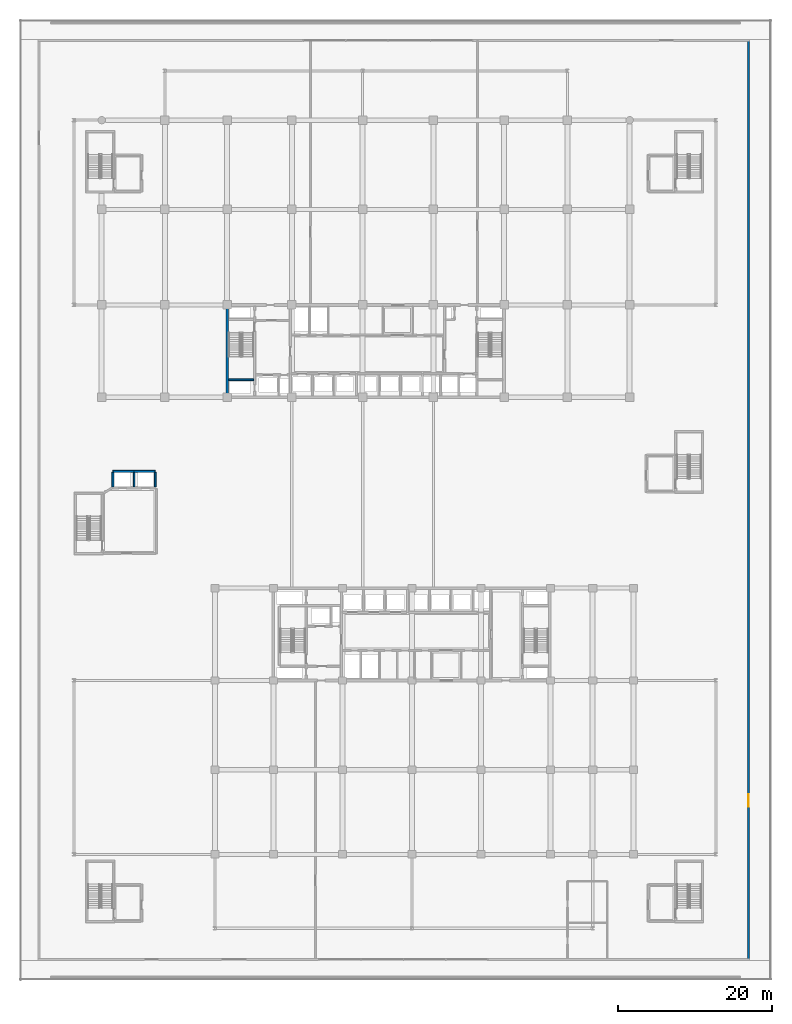
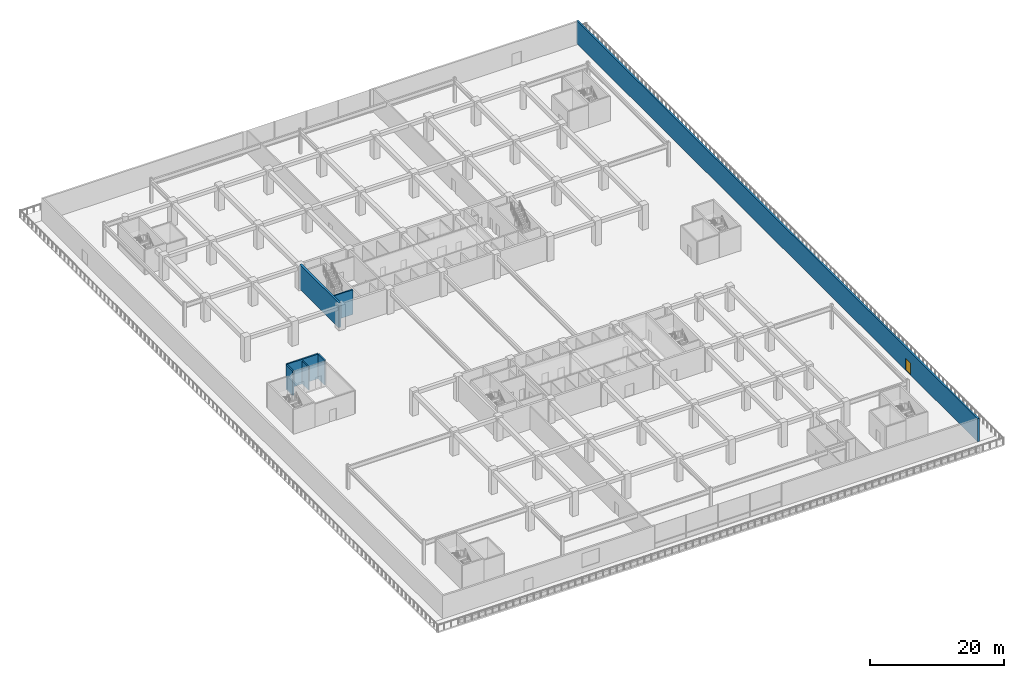
# One storey, part 24 of 40: 7 walls, 1 door, 1 opening.
"""IFC4 building model written with IfcOpenShell, lengths in metres."""

from ifc_helpers import new_model, si_unit, direction, frame, frame_2d, origin, place, context, subcontext, project, spatial, rectangle, extrude, material, layer, layer_set, type_object, element, fill, save


model = new_model("IFC4")

# Units and contexts
model_context = context("Model", 3, precision=1e-05, world=origin(), true_north=direction((0.0, 1.0)))
body_context = subcontext(model_context, "Body", "Model", "MODEL_VIEW")
ifc_project = project(units=[si_unit("LENGTHUNIT", "METRE"), si_unit("AREAUNIT", "SQUARE_METRE"), si_unit("VOLUMEUNIT", "CUBIC_METRE"), si_unit("PLANEANGLEUNIT", "RADIAN"), si_unit("MASSUNIT", "GRAM", prefix="KILO")], contexts=[model_context])

# Site, building, storey
site_placement = place(None, origin())
site = spatial("IfcSite", under=ifc_project, at=site_placement, CompositionType="ELEMENT")
building_placement = place(site_placement, origin())
building = spatial("IfcBuilding", under=site, at=building_placement, Name="Korimba Cascade Residences", CompositionType="ELEMENT")
storey_placement = place(building_placement, frame((0.0, 0.0, 14.5)))
storey = spatial("IfcBuildingStorey", under=building, at=storey_placement, Name="L03", CompositionType="ELEMENT", Elevation=14.5)

# Wall, opening, door
ifc_material_1 = material(Name="Precast concrete C40/50", Category="concrete")
ifc_layer_1 = layer(ifc_material_1, 0.300048828125)
ifc_layer_set_1 = layer_set([ifc_layer_1], Name="Precast concrete C40/50")
wall_type_1 = type_object("IfcWallType", Name="EW-STONE-300", PredefinedType="STANDARD", material=ifc_layer_set_1)
wall_1_placement = place(storey_placement, frame((143.85009765625, -18.0, 0.0), z_axis=(0.0, 0.0, 1.0), x_axis=(0.0, 1.0, 0.0)))
wall_1 = element("IfcWall", 1, at=wall_1_placement, inside=storey, type_object=wall_type_1, Name="L03 East Podium Wall", PredefinedType="STANDARD", context=body_context, shape_type="SweptSolid", body=[
    extrude(rectangle(XDim=119.699951171875, YDim=0.300048828125, at=frame_2d((59.85009765625, 0.0))), origin(), (0.0, 0.0, 1.0), 4.179931640625),
])
opening_placement = place(wall_1_placement, frame((20.0, 0.0, 0.0)))
opening = element("IfcOpeningElement", 2, at=opening_placement, cuts=wall_1, Name="Opening D-TR1", PredefinedType="OPENING", context=body_context, shape_type="SweptSolid", body=[
    extrude(rectangle(XDim=1.60009765625, YDim=2.199951171875, at=frame_2d((0.800048828125, 1.10009765625))), frame((0.0, 0.16015625, 0.0), z_axis=(0.0, -1.0, 0.0), x_axis=(1.0, 0.0, 0.0)), (0.0, 0.0, 1.0), 0.320068359375),
])
ifc_material_2 = material(Name="Glazed Aluminium Terrace Door", Category="aluminium")
door_type = type_object("IfcDoorType", Name="DR-EXT-TER", OperationType="NOTDEFINED", PredefinedType="DOOR", material=ifc_material_2)
door_placement = place(opening_placement, frame((1.60009765625, 0.0, 0.0), z_axis=(0.0, 0.0, 1.0), x_axis=(-1.0, 0.0, 0.0)))
door = element("IfcDoor", 3, at=door_placement, inside=storey, type_object=door_type, Name="L03 East Terrace Access Door", OperationType="DOUBLE_DOOR_SINGLE_SWING", OverallHeight=2.199951171875, OverallWidth=1.60009765625, PredefinedType="DOOR", context=body_context, shape_type="SweptSolid", body=[
    extrude(rectangle(XDim=1.60009765625, YDim=2.199951171875, at=frame_2d((0.800048828125, 1.10009765625))), frame((0.0, 0.02490234375, 0.0), z_axis=(0.0, -1.0, 0.0), x_axis=(1.0, 0.0, 0.0)), (0.0, 0.0, 1.0), 0.050048828125),
])
fill(opening, door)

# Walls
ifc_material_3 = material(Name="Concrete C65/80", Category="concrete")
ifc_layer_2 = layer(ifc_material_3, 0.35009765625)
ifc_layer_set_2 = layer_set([ifc_layer_2], Name="Concrete C65/80")
wall_type_2 = type_object("IfcWallType", Name="WAL-CORE-350", PredefinedType="SHEAR", material=ifc_layer_set_2)
wall_2_placement = place(storey_placement, frame((76.125, 55.375, 0.0), z_axis=(0.0, 0.0, 1.0), x_axis=(0.0, 1.0, 0.0)))
element("IfcWall", 4, at=wall_2_placement, inside=storey, type_object=wall_type_2, Name="L03 Core Shear Wall CW-L03-T1-W", PredefinedType="SHEAR", context=body_context, shape_type="SweptSolid", body=[
    extrude(rectangle(XDim=11.64990234375, YDim=0.35009765625, at=frame_2d((5.824951171875, 0.0))), origin(), (0.0, 0.0, 1.0), 4.5),
])
ifc_material_4 = material(Name="Concrete C40/50", Category="concrete")
ifc_layer_3 = layer(ifc_material_4, 0.199951171875)
ifc_layer_set_3 = layer_set([ifc_layer_3], Name="Concrete C40/50")
wall_type_3 = type_object("IfcWallType", Name="WAL-PART-200", PredefinedType="PARTITIONING", material=ifc_layer_set_3)
wall_3_placement = place(storey_placement, frame((64.0, 43.550048828125, 0.0), z_axis=(0.0, 0.0, 1.0), x_axis=(0.0, 1.0, 0.0)))
element("IfcWall", 5, at=wall_3_placement, inside=storey, type_object=wall_type_3, Name="L03 Partition Wall CW-L03-SHPM", PredefinedType="PARTITIONING", context=body_context, shape_type="SweptSolid", body=[
    extrude(rectangle(XDim=1.89990234375, YDim=0.199951171875, at=frame_2d((0.949951171875, 0.0))), origin(), (0.0, 0.0, 1.0), 4.179931640625),
])
ifc_material_5 = material(Name="Concrete C50/60", Category="concrete")
ifc_layer_4 = layer(ifc_material_5, 0.25)
ifc_layer_set_4 = layer_set([ifc_layer_4], Name="Concrete C50/60")
wall_type_4 = type_object("IfcWallType", Name="WAL-SHAFT-250", PredefinedType="SHEAR", material=ifc_layer_set_4)
wall_4_placement = place(storey_placement, frame((76.300048828125, 57.47509765625, 0.0), z_axis=(0.0, 0.0, 1.0), x_axis=(1.0, 0.0, 0.0)))
element("IfcWall", 6, at=wall_4_placement, inside=storey, type_object=wall_type_4, Name="L03 Core Shear Wall CW-L03-T1-STW1S", PredefinedType="SHEAR", context=body_context, shape_type="SweptSolid", body=[
    extrude(rectangle(XDim=3.239990234375, YDim=0.25, at=frame_2d((1.6201171875, 0.0))), origin(), (0.0, 0.0, 1.0), 4.5),
])
wall_5_placement = place(storey_placement, frame((61.25, 45.580078125, 0.0), z_axis=(0.0, 0.0, 1.0), x_axis=(1.0, 0.0, 0.0)))
element("IfcWall", 7, at=wall_5_placement, inside=storey, type_object=wall_type_4, Name="L03 Core Shear Wall CW-L03-SHPN", PredefinedType="SHEAR", context=body_context, shape_type="SweptSolid", body=[
    extrude(rectangle(XDim=5.5, YDim=0.25, at=frame_2d((2.75, 0.0))), origin(), (0.0, 0.0, 1.0), 4.5),
])
for number, where, z_axis, x_axis, name in (
    (8, (61.25, 43.550048828125, 0.0), (0.0, 0.0, 1.0), (0.0, 1.0, 0.0), "L03 Core Shear Wall CW-L03-SHPW"),
    (9, (66.75, 43.550048828125, 0.0), (0.0, 0.0, 1.0), (0.0, 1.0, 0.0), "L03 Core Shear Wall CW-L03-SHPE"),
):
    element("IfcWall", number, at=place(storey_placement, frame(where, z_axis=z_axis, x_axis=x_axis)), inside=storey, type_object=wall_type_4, Name=name, PredefinedType="SHEAR", context=body_context, shape_type="SweptSolid", body=[
        extrude(rectangle(XDim=1.89990234375, YDim=0.25, at=frame_2d((0.949951171875, 0.0))), origin(), (0.0, 0.0, 1.0), 4.5),
    ])

save(model, "model.ifc")
